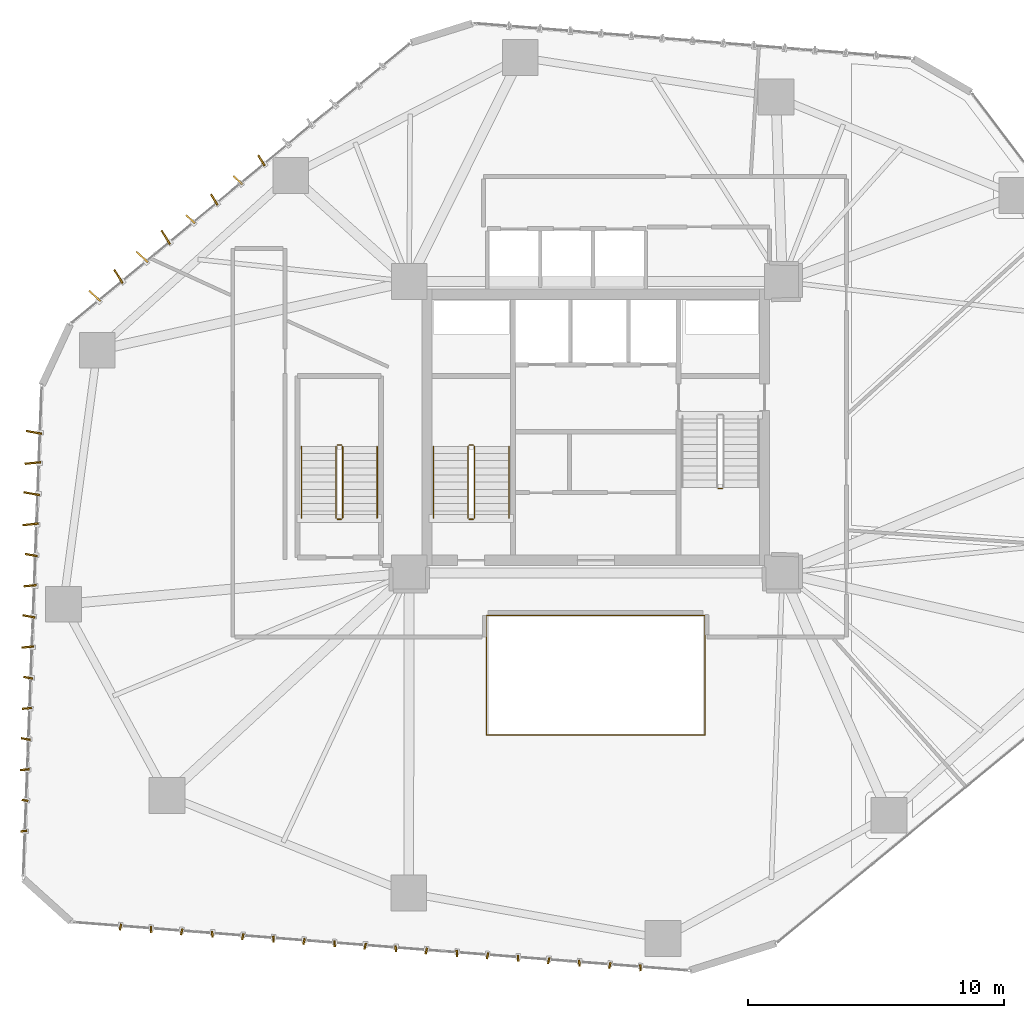
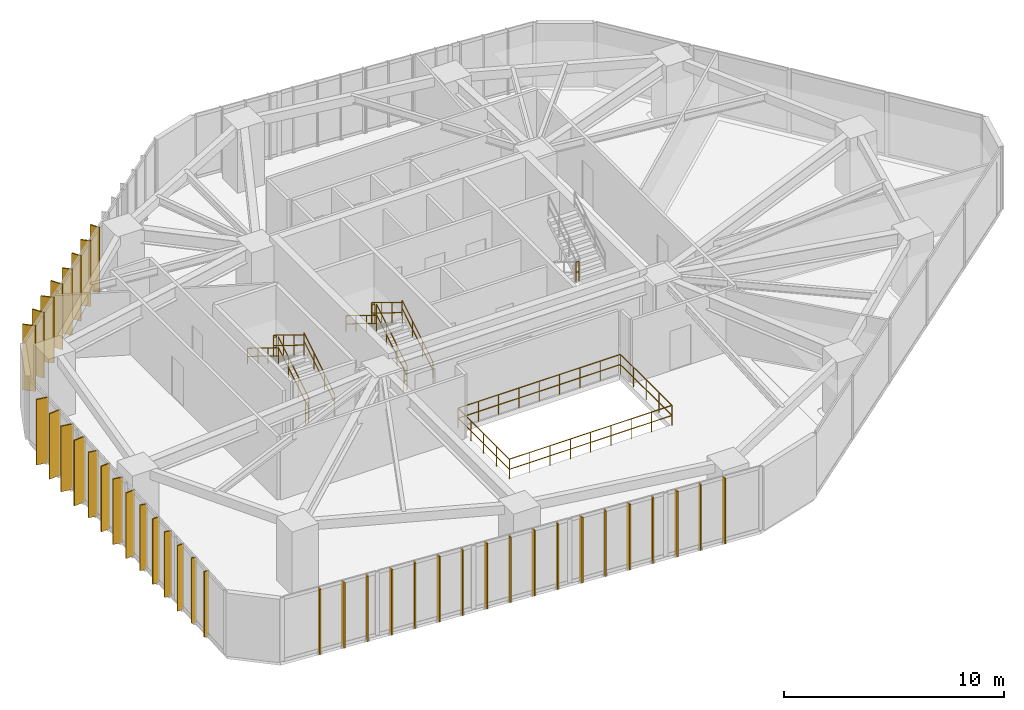
# One storey, part 21 of 23: 40 shading devices, 17 railings.
"""IFC4 building model written with IfcOpenShell, lengths in metres."""

from ifc_helpers import new_model, si_unit, direction, frame, origin, origin_2d, place, context, subcontext, project, spatial, rectangle, circle, extrude, source, transform, mapped, material, layer, layer_set, type_object, type_shapes, element, save


model = new_model("IFC4")

# Units and contexts
model_context = context("Model", 3, precision=1e-05, world=origin(), true_north=direction((0.0, 1.0)))
body_context = subcontext(model_context, "Body", "Model", "MODEL_VIEW")
ifc_project = project(units=[si_unit("LENGTHUNIT", "METRE"), si_unit("AREAUNIT", "SQUARE_METRE"), si_unit("VOLUMEUNIT", "CUBIC_METRE"), si_unit("PLANEANGLEUNIT", "RADIAN"), si_unit("MASSUNIT", "GRAM", prefix="KILO")], contexts=[model_context])

# Site, building, storey
site_placement = place(None, origin())
site = spatial("IfcSite", under=ifc_project, at=site_placement, CompositionType="ELEMENT")
building_placement = place(site_placement, origin())
building = spatial("IfcBuilding", under=site, at=building_placement, Name="Talar Marvaseh", CompositionType="ELEMENT")
storey_placement = place(building_placement, frame((0.0, 0.0, 77.199951171875)))
storey = spatial("IfcBuildingStorey", under=building, at=storey_placement, Name="L19", CompositionType="ELEMENT", Elevation=77.199951171875)

# Railings
ifc_material_1 = material(Name="Stainless Steel Grade 316", Category="steel")
railing_type_1 = type_object("IfcRailingType", Name="Brushed Stainless Wall Pitch Handrail 900", PredefinedType="HANDRAIL", material=ifc_material_1)
railing_1_placement = place(storey_placement, frame((22.610107421875, 27.64990234375, 0.1728515625)))
element("IfcRailing", 1, at=railing_1_placement, inside=storey, type_object=railing_type_1, Name="L19 ST-1 stair handrail 1", PredefinedType="HANDRAIL", context=body_context, shape_type="SweptSolid", body=[
    extrude(circle(Radius=0.02392578125, at=origin_2d()), frame((0.0, 0.0, 0.8759765625), z_axis=(0.0, 0.851089632645, 0.525020415988), x_axis=(-1.0, 0.0, 0.0)), (0.0, 0.0, 1.0), 3.2900390625),
    extrude(circle(Radius=0.02392578125, at=origin_2d()), frame((0.0, 0.0, 0.42578125), z_axis=(0.0, 0.851089632645, 0.525020415988), x_axis=(-1.0, 0.0, 0.0)), (0.0, 0.0, 1.0), 3.2900390625),
    extrude(circle(Radius=0.02099609375, at=origin_2d()), origin(), (0.0, 0.0, 1.0), 0.851806640625),
    extrude(circle(Radius=0.02099609375, at=origin_2d()), frame((0.0, 0.933349609375, 0.57568359375)), (0.0, 0.0, 1.0), 0.851806640625),
    extrude(circle(Radius=0.02099609375, at=origin_2d()), frame((0.0, 1.86669921875, 1.151611328125)), (0.0, 0.0, 1.0), 0.851806640625),
    extrude(circle(Radius=0.02099609375, at=origin_2d()), frame((0.0, 2.800048828125, 1.727294921875)), (0.0, 0.0, 1.0), 0.851806640625),
])
railing_2_placement = place(storey_placement, frame((19.64990234375, 30.449951171875, 2.07275390625)))
element("IfcRailing", 2, at=railing_2_placement, inside=storey, type_object=railing_type_1, Name="L19 ST-1 stair handrail 2", PredefinedType="HANDRAIL", context=body_context, shape_type="SweptSolid", body=[
    extrude(circle(Radius=0.02392578125, at=origin_2d()), frame((0.0, 0.0, 0.8759765625), z_axis=(0.0, -0.851089632645, 0.525020415988), x_axis=(1.0, 0.0, 0.0)), (0.0, 0.0, 1.0), 3.2900390625),
    extrude(circle(Radius=0.02392578125, at=origin_2d()), frame((0.0, 0.0, 0.42578125), z_axis=(0.0, -0.851089632645, 0.525020415988), x_axis=(1.0, 0.0, 0.0)), (0.0, 0.0, 1.0), 3.2900390625),
    extrude(circle(Radius=0.02099609375, at=origin_2d()), origin(), (0.0, 0.0, 1.0), 0.851806640625),
    extrude(circle(Radius=0.02099609375, at=origin_2d()), frame((0.0, -0.933349609375, 0.57568359375)), (0.0, 0.0, 1.0), 0.851806640625),
    extrude(circle(Radius=0.02099609375, at=origin_2d()), frame((0.0, -1.86669921875, 1.151611328125)), (0.0, 0.0, 1.0), 0.851806640625),
    extrude(circle(Radius=0.02099609375, at=origin_2d()), frame((0.0, -2.800048828125, 1.727294921875)), (0.0, 0.0, 1.0), 0.851806640625),
])
railing_3_placement = place(storey_placement, frame((17.449951171875, 27.64990234375, 0.1728515625)))
element("IfcRailing", 3, at=railing_3_placement, inside=storey, type_object=railing_type_1, Name="L19 ST-3 stair handrail 1", PredefinedType="HANDRAIL", context=body_context, shape_type="SweptSolid", body=[
    extrude(circle(Radius=0.02392578125, at=origin_2d()), frame((0.0, 0.0, 0.8759765625), z_axis=(0.0, 0.851089632645, 0.525020415988), x_axis=(-1.0, 0.0, 0.0)), (0.0, 0.0, 1.0), 3.2900390625),
    extrude(circle(Radius=0.02392578125, at=origin_2d()), frame((0.0, 0.0, 0.42578125), z_axis=(0.0, 0.851089632645, 0.525020415988), x_axis=(-1.0, 0.0, 0.0)), (0.0, 0.0, 1.0), 3.2900390625),
    extrude(circle(Radius=0.02099609375, at=origin_2d()), origin(), (0.0, 0.0, 1.0), 0.851806640625),
    extrude(circle(Radius=0.02099609375, at=origin_2d()), frame((0.0, 0.933349609375, 0.57568359375)), (0.0, 0.0, 1.0), 0.851806640625),
    extrude(circle(Radius=0.02099609375, at=origin_2d()), frame((0.0, 1.86669921875, 1.151611328125)), (0.0, 0.0, 1.0), 0.851806640625),
    extrude(circle(Radius=0.02099609375, at=origin_2d()), frame((0.0, 2.800048828125, 1.727294921875)), (0.0, 0.0, 1.0), 0.851806640625),
])
railing_4_placement = place(storey_placement, frame((14.489990234375, 30.449951171875, 2.07275390625)))
element("IfcRailing", 4, at=railing_4_placement, inside=storey, type_object=railing_type_1, Name="L19 ST-3 stair handrail 2", PredefinedType="HANDRAIL", context=body_context, shape_type="SweptSolid", body=[
    extrude(circle(Radius=0.02392578125, at=origin_2d()), frame((0.0, 0.0, 0.8759765625), z_axis=(0.0, -0.851089632645, 0.525020415988), x_axis=(1.0, 0.0, 0.0)), (0.0, 0.0, 1.0), 3.2900390625),
    extrude(circle(Radius=0.02392578125, at=origin_2d()), frame((0.0, 0.0, 0.42578125), z_axis=(0.0, -0.851089632645, 0.525020415988), x_axis=(1.0, 0.0, 0.0)), (0.0, 0.0, 1.0), 3.2900390625),
    extrude(circle(Radius=0.02099609375, at=origin_2d()), origin(), (0.0, 0.0, 1.0), 0.851806640625),
    extrude(circle(Radius=0.02099609375, at=origin_2d()), frame((0.0, -0.933349609375, 0.57568359375)), (0.0, 0.0, 1.0), 0.851806640625),
    extrude(circle(Radius=0.02099609375, at=origin_2d()), frame((0.0, -1.86669921875, 1.151611328125)), (0.0, 0.0, 1.0), 0.851806640625),
    extrude(circle(Radius=0.02099609375, at=origin_2d()), frame((0.0, -2.800048828125, 1.727294921875)), (0.0, 0.0, 1.0), 0.851806640625),
])
ifc_material_2 = material(Name="Tempered Clear Glass", Category="glass")
railing_type_2 = type_object("IfcRailingType", Name="Interior Atrium Edge Balustrade 1120", PredefinedType="BALUSTRADE", material=ifc_material_2)
railing_5_placement = place(storey_placement, frame((21.729736328125, 19.16162109375, 0.0)))
element("IfcRailing", 5, at=railing_5_placement, inside=storey, type_object=railing_type_2, Name="L19 Internal Daylight Atrium Balustrade 1", PredefinedType="BALUSTRADE", context=body_context, shape_type="SweptSolid", body=[
    extrude(circle(Radius=0.02392578125, at=origin_2d()), frame((0.0, 0.0, 1.09619140625), z_axis=(1.0, 0.0, 0.0), x_axis=(0.0, 1.0, 0.0)), (0.0, 0.0, 1.0), 8.54052734375),
    extrude(circle(Radius=0.02392578125, at=origin_2d()), frame((0.0, 0.0, 0.5361328125), z_axis=(1.0, 0.0, 0.0), x_axis=(0.0, 1.0, 0.0)), (0.0, 0.0, 1.0), 8.54052734375),
    extrude(circle(Radius=0.02099609375, at=origin_2d()), origin(), (0.0, 0.0, 1.0), 1.072021484375),
    extrude(circle(Radius=0.02099609375, at=origin_2d()), frame((1.067626953125, 0.0, 0.0)), (0.0, 0.0, 1.0), 1.072021484375),
    extrude(circle(Radius=0.02099609375, at=origin_2d()), frame((2.13525390625, 0.0, 0.0)), (0.0, 0.0, 1.0), 1.072021484375),
    extrude(circle(Radius=0.02099609375, at=origin_2d()), frame((3.20263671875, 0.0, 0.0)), (0.0, 0.0, 1.0), 1.072021484375),
    extrude(circle(Radius=0.02099609375, at=origin_2d()), frame((4.270263671875, 0.0, 0.0)), (0.0, 0.0, 1.0), 1.072021484375),
    extrude(circle(Radius=0.02099609375, at=origin_2d()), frame((5.337890625, 0.0, 0.0)), (0.0, 0.0, 1.0), 1.072021484375),
    extrude(circle(Radius=0.02099609375, at=origin_2d()), frame((6.4052734375, 0.0, 0.0)), (0.0, 0.0, 1.0), 1.072021484375),
    extrude(circle(Radius=0.02099609375, at=origin_2d()), frame((7.472900390625, 0.0, 0.0)), (0.0, 0.0, 1.0), 1.072021484375),
    extrude(circle(Radius=0.02099609375, at=origin_2d()), frame((8.54052734375, 0.0, 0.0)), (0.0, 0.0, 1.0), 1.072021484375),
])
railing_6_placement = place(storey_placement, frame((30.270263671875, 19.16162109375, 0.0)))
element("IfcRailing", 6, at=railing_6_placement, inside=storey, type_object=railing_type_2, Name="L19 Internal Daylight Atrium Balustrade 2", PredefinedType="BALUSTRADE", context=body_context, shape_type="SweptSolid", body=[
    extrude(circle(Radius=0.02392578125, at=origin_2d()), frame((0.0, 0.0, 1.09619140625), z_axis=(0.0, 1.0, 0.0), x_axis=(-1.0, 0.0, 0.0)), (0.0, 0.0, 1.0), 4.6767578125),
    extrude(circle(Radius=0.02392578125, at=origin_2d()), frame((0.0, 0.0, 0.5361328125), z_axis=(0.0, 1.0, 0.0), x_axis=(-1.0, 0.0, 0.0)), (0.0, 0.0, 1.0), 4.6767578125),
    extrude(circle(Radius=0.02099609375, at=origin_2d()), origin(), (0.0, 0.0, 1.0), 1.072021484375),
    extrude(circle(Radius=0.02099609375, at=origin_2d()), frame((0.0, 1.169189453125, 0.0)), (0.0, 0.0, 1.0), 1.072021484375),
    extrude(circle(Radius=0.02099609375, at=origin_2d()), frame((0.0, 2.33837890625, 0.0)), (0.0, 0.0, 1.0), 1.072021484375),
    extrude(circle(Radius=0.02099609375, at=origin_2d()), frame((0.0, 3.507568359375, 0.0)), (0.0, 0.0, 1.0), 1.072021484375),
    extrude(circle(Radius=0.02099609375, at=origin_2d()), frame((0.0, 4.6767578125, 0.0)), (0.0, 0.0, 1.0), 1.072021484375),
])
railing_7_placement = place(storey_placement, frame((30.270263671875, 23.83837890625, 0.0)))
element("IfcRailing", 7, at=railing_7_placement, inside=storey, type_object=railing_type_2, Name="L19 Internal Daylight Atrium Balustrade 3", PredefinedType="BALUSTRADE", context=body_context, shape_type="SweptSolid", body=[
    extrude(circle(Radius=0.02392578125, at=origin_2d()), frame((0.0, 0.0, 1.09619140625), z_axis=(-1.0, 0.0, 0.0), x_axis=(0.0, -1.0, 0.0)), (0.0, 0.0, 1.0), 8.54052734375),
    extrude(circle(Radius=0.02392578125, at=origin_2d()), frame((0.0, 0.0, 0.5361328125), z_axis=(-1.0, 0.0, 0.0), x_axis=(0.0, -1.0, 0.0)), (0.0, 0.0, 1.0), 8.54052734375),
    extrude(circle(Radius=0.02099609375, at=origin_2d()), origin(), (0.0, 0.0, 1.0), 1.072021484375),
    extrude(circle(Radius=0.02099609375, at=origin_2d()), frame((-1.067626953125, 0.0, 0.0)), (0.0, 0.0, 1.0), 1.072021484375),
    extrude(circle(Radius=0.02099609375, at=origin_2d()), frame((-2.13525390625, 0.0, 0.0)), (0.0, 0.0, 1.0), 1.072021484375),
    extrude(circle(Radius=0.02099609375, at=origin_2d()), frame((-3.20263671875, 0.0, 0.0)), (0.0, 0.0, 1.0), 1.072021484375),
    extrude(circle(Radius=0.02099609375, at=origin_2d()), frame((-4.270263671875, 0.0, 0.0)), (0.0, 0.0, 1.0), 1.072021484375),
    extrude(circle(Radius=0.02099609375, at=origin_2d()), frame((-5.337890625, 0.0, 0.0)), (0.0, 0.0, 1.0), 1.072021484375),
    extrude(circle(Radius=0.02099609375, at=origin_2d()), frame((-6.4052734375, 0.0, 0.0)), (0.0, 0.0, 1.0), 1.072021484375),
    extrude(circle(Radius=0.02099609375, at=origin_2d()), frame((-7.472900390625, 0.0, 0.0)), (0.0, 0.0, 1.0), 1.072021484375),
    extrude(circle(Radius=0.02099609375, at=origin_2d()), frame((-8.54052734375, 0.0, 0.0)), (0.0, 0.0, 1.0), 1.072021484375),
])
railing_8_placement = place(storey_placement, frame((21.729736328125, 23.83837890625, 0.0)))
element("IfcRailing", 8, at=railing_8_placement, inside=storey, type_object=railing_type_2, Name="L19 Internal Daylight Atrium Balustrade 4", PredefinedType="BALUSTRADE", context=body_context, shape_type="SweptSolid", body=[
    extrude(circle(Radius=0.02392578125, at=origin_2d()), frame((0.0, 0.0, 1.09619140625), z_axis=(0.0, -1.0, 0.0), x_axis=(1.0, 0.0, 0.0)), (0.0, 0.0, 1.0), 4.6767578125),
    extrude(circle(Radius=0.02392578125, at=origin_2d()), frame((0.0, 0.0, 0.5361328125), z_axis=(0.0, -1.0, 0.0), x_axis=(1.0, 0.0, 0.0)), (0.0, 0.0, 1.0), 4.6767578125),
    extrude(circle(Radius=0.02099609375, at=origin_2d()), origin(), (0.0, 0.0, 1.0), 1.072021484375),
    extrude(circle(Radius=0.02099609375, at=origin_2d()), frame((0.0, -1.169189453125, 0.0)), (0.0, 0.0, 1.0), 1.072021484375),
    extrude(circle(Radius=0.02099609375, at=origin_2d()), frame((0.0, -2.33837890625, 0.0)), (0.0, 0.0, 1.0), 1.072021484375),
    extrude(circle(Radius=0.02099609375, at=origin_2d()), frame((0.0, -3.507568359375, 0.0)), (0.0, 0.0, 1.0), 1.072021484375),
    extrude(circle(Radius=0.02099609375, at=origin_2d()), frame((0.0, -4.6767578125, 0.0)), (0.0, 0.0, 1.0), 1.072021484375),
])
railing_type_3 = type_object("IfcRailingType", Name="Painted Steel Core Stair Well Guardrail 1150", PredefinedType="GUARDRAIL", material=ifc_material_1)
railing_9_placement = place(storey_placement, frame((21.260009765625, 27.64990234375, 0.1728515625)))
element("IfcRailing", 9, at=railing_9_placement, inside=storey, type_object=railing_type_3, Name="L19 ST-1 stair guard 1", PredefinedType="GUARDRAIL", context=body_context, shape_type="SweptSolid", body=[
    extrude(circle(Radius=0.02392578125, at=origin_2d()), frame((0.0, 0.0, 1.1259765625), z_axis=(0.0, 0.851089632645, 0.525020415988), x_axis=(-1.0, 0.0, 0.0)), (0.0, 0.0, 1.0), 3.2900390625),
    extrude(circle(Radius=0.02392578125, at=origin_2d()), frame((0.0, 0.0, 0.55078125), z_axis=(0.0, 0.851089632645, 0.525020415988), x_axis=(-1.0, 0.0, 0.0)), (0.0, 0.0, 1.0), 3.2900390625),
    extrude(circle(Radius=0.02099609375, at=origin_2d()), origin(), (0.0, 0.0, 1.0), 1.101806640625),
    extrude(circle(Radius=0.02099609375, at=origin_2d()), frame((0.0, 0.933349609375, 0.57568359375)), (0.0, 0.0, 1.0), 1.101806640625),
    extrude(circle(Radius=0.02099609375, at=origin_2d()), frame((0.0, 1.86669921875, 1.151611328125)), (0.0, 0.0, 1.0), 1.101806640625),
    extrude(circle(Radius=0.02099609375, at=origin_2d()), frame((0.0, 2.800048828125, 1.727294921875)), (0.0, 0.0, 1.0), 1.101806640625),
])
railing_10_placement = place(storey_placement, frame((21.2099609375, 30.5, 1.900146484375)))
element("IfcRailing", 10, at=railing_10_placement, inside=storey, type_object=railing_type_3, Name="L19 ST-1 stair guard 2", PredefinedType="GUARDRAIL", context=body_context, shape_type="SweptSolid", body=[
    extrude(circle(Radius=0.02392578125, at=origin_2d()), frame((0.0, 0.0, 1.1259765625), z_axis=(-1.0, 0.0, 0.0), x_axis=(0.0, -1.0, 0.0)), (0.0, 0.0, 1.0), 0.159912109375),
    extrude(circle(Radius=0.02392578125, at=origin_2d()), frame((0.0, 0.0, 0.55078125), z_axis=(-1.0, 0.0, 0.0), x_axis=(0.0, -1.0, 0.0)), (0.0, 0.0, 1.0), 0.159912109375),
    extrude(circle(Radius=0.02099609375, at=origin_2d()), origin(), (0.0, 0.0, 1.0), 1.101806640625),
    extrude(circle(Radius=0.02099609375, at=origin_2d()), frame((-0.159912109375, 0.0, 0.0)), (0.0, 0.0, 1.0), 1.101806640625),
])
railing_11_placement = place(storey_placement, frame((21.0, 30.449951171875, 2.07275390625)))
element("IfcRailing", 11, at=railing_11_placement, inside=storey, type_object=railing_type_3, Name="L19 ST-1 stair guard 3", PredefinedType="GUARDRAIL", context=body_context, shape_type="SweptSolid", body=[
    extrude(circle(Radius=0.02392578125, at=origin_2d()), frame((0.0, 0.0, 1.1259765625), z_axis=(0.0, -0.851089632645, 0.525020415988), x_axis=(1.0, 0.0, 0.0)), (0.0, 0.0, 1.0), 3.2900390625),
    extrude(circle(Radius=0.02392578125, at=origin_2d()), frame((0.0, 0.0, 0.55078125), z_axis=(0.0, -0.851089632645, 0.525020415988), x_axis=(1.0, 0.0, 0.0)), (0.0, 0.0, 1.0), 3.2900390625),
    extrude(circle(Radius=0.02099609375, at=origin_2d()), origin(), (0.0, 0.0, 1.0), 1.101806640625),
    extrude(circle(Radius=0.02099609375, at=origin_2d()), frame((0.0, -0.933349609375, 0.57568359375)), (0.0, 0.0, 1.0), 1.101806640625),
    extrude(circle(Radius=0.02099609375, at=origin_2d()), frame((0.0, -1.86669921875, 1.151611328125)), (0.0, 0.0, 1.0), 1.101806640625),
    extrude(circle(Radius=0.02099609375, at=origin_2d()), frame((0.0, -2.800048828125, 1.727294921875)), (0.0, 0.0, 1.0), 1.101806640625),
])
railing_12_placement = place(storey_placement, frame((21.2099609375, 27.60009765625, 0.0)))
element("IfcRailing", 12, at=railing_12_placement, inside=storey, type_object=railing_type_3, Name="L19 ST-1 stair guard 4", PredefinedType="GUARDRAIL", context=body_context, shape_type="SweptSolid", body=[
    extrude(circle(Radius=0.02392578125, at=origin_2d()), frame((0.0, 0.0, 1.1259765625), z_axis=(-1.0, 0.0, 0.0), x_axis=(0.0, -1.0, 0.0)), (0.0, 0.0, 1.0), 0.159912109375),
    extrude(circle(Radius=0.02392578125, at=origin_2d()), frame((0.0, 0.0, 0.55078125), z_axis=(-1.0, 0.0, 0.0), x_axis=(0.0, -1.0, 0.0)), (0.0, 0.0, 1.0), 0.159912109375),
    extrude(circle(Radius=0.02099609375, at=origin_2d()), origin(), (0.0, 0.0, 1.0), 1.101806640625),
    extrude(circle(Radius=0.02099609375, at=origin_2d()), frame((-0.159912109375, 0.0, 0.0)), (0.0, 0.0, 1.0), 1.101806640625),
])
railing_13_placement = place(storey_placement, frame((30.7900390625, 28.800048828125, 1.900146484375)))
element("IfcRailing", 13, at=railing_13_placement, inside=storey, type_object=railing_type_3, Name="L19 ST-2 stair guard 2", PredefinedType="GUARDRAIL", context=body_context, shape_type="SweptSolid", body=[
    extrude(circle(Radius=0.02392578125, at=origin_2d()), frame((0.0, 0.0, 1.1259765625), z_axis=(1.0, 0.0, 0.0), x_axis=(0.0, 1.0, 0.0)), (0.0, 0.0, 1.0), 0.159912109375),
    extrude(circle(Radius=0.02392578125, at=origin_2d()), frame((0.0, 0.0, 0.55078125), z_axis=(1.0, 0.0, 0.0), x_axis=(0.0, 1.0, 0.0)), (0.0, 0.0, 1.0), 0.159912109375),
    extrude(circle(Radius=0.02099609375, at=origin_2d()), origin(), (0.0, 0.0, 1.0), 1.101806640625),
    extrude(circle(Radius=0.02099609375, at=origin_2d()), frame((0.159912109375, 0.0, 0.0)), (0.0, 0.0, 1.0), 1.101806640625),
])
railing_14_placement = place(storey_placement, frame((16.10009765625, 27.64990234375, 0.1728515625)))
element("IfcRailing", 14, at=railing_14_placement, inside=storey, type_object=railing_type_3, Name="L19 ST-3 stair guard 1", PredefinedType="GUARDRAIL", context=body_context, shape_type="SweptSolid", body=[
    extrude(circle(Radius=0.02392578125, at=origin_2d()), frame((0.0, 0.0, 1.1259765625), z_axis=(0.0, 0.851089632645, 0.525020415988), x_axis=(-1.0, 0.0, 0.0)), (0.0, 0.0, 1.0), 3.2900390625),
    extrude(circle(Radius=0.02392578125, at=origin_2d()), frame((0.0, 0.0, 0.55078125), z_axis=(0.0, 0.851089632645, 0.525020415988), x_axis=(-1.0, 0.0, 0.0)), (0.0, 0.0, 1.0), 3.2900390625),
    extrude(circle(Radius=0.02099609375, at=origin_2d()), origin(), (0.0, 0.0, 1.0), 1.101806640625),
    extrude(circle(Radius=0.02099609375, at=origin_2d()), frame((0.0, 0.933349609375, 0.57568359375)), (0.0, 0.0, 1.0), 1.101806640625),
    extrude(circle(Radius=0.02099609375, at=origin_2d()), frame((0.0, 1.86669921875, 1.151611328125)), (0.0, 0.0, 1.0), 1.101806640625),
    extrude(circle(Radius=0.02099609375, at=origin_2d()), frame((0.0, 2.800048828125, 1.727294921875)), (0.0, 0.0, 1.0), 1.101806640625),
])
railing_15_placement = place(storey_placement, frame((16.050048828125, 30.5, 1.900146484375)))
element("IfcRailing", 15, at=railing_15_placement, inside=storey, type_object=railing_type_3, Name="L19 ST-3 stair guard 2", PredefinedType="GUARDRAIL", context=body_context, shape_type="SweptSolid", body=[
    extrude(circle(Radius=0.02392578125, at=origin_2d()), frame((0.0, 0.0, 1.1259765625), z_axis=(-1.0, 0.0, 0.0), x_axis=(0.0, -1.0, 0.0)), (0.0, 0.0, 1.0), 0.16015625),
    extrude(circle(Radius=0.02392578125, at=origin_2d()), frame((0.0, 0.0, 0.55078125), z_axis=(-1.0, 0.0, 0.0), x_axis=(0.0, -1.0, 0.0)), (0.0, 0.0, 1.0), 0.16015625),
    extrude(circle(Radius=0.02099609375, at=origin_2d()), origin(), (0.0, 0.0, 1.0), 1.101806640625),
    extrude(circle(Radius=0.02099609375, at=origin_2d()), frame((-0.16015625, 0.0, 0.0)), (0.0, 0.0, 1.0), 1.101806640625),
])
railing_16_placement = place(storey_placement, frame((15.840087890625, 30.449951171875, 2.07275390625)))
element("IfcRailing", 16, at=railing_16_placement, inside=storey, type_object=railing_type_3, Name="L19 ST-3 stair guard 3", PredefinedType="GUARDRAIL", context=body_context, shape_type="SweptSolid", body=[
    extrude(circle(Radius=0.02392578125, at=origin_2d()), frame((0.0, 0.0, 1.1259765625), z_axis=(0.0, -0.851089632645, 0.525020415988), x_axis=(1.0, 0.0, 0.0)), (0.0, 0.0, 1.0), 3.2900390625),
    extrude(circle(Radius=0.02392578125, at=origin_2d()), frame((0.0, 0.0, 0.55078125), z_axis=(0.0, -0.851089632645, 0.525020415988), x_axis=(1.0, 0.0, 0.0)), (0.0, 0.0, 1.0), 3.2900390625),
    extrude(circle(Radius=0.02099609375, at=origin_2d()), origin(), (0.0, 0.0, 1.0), 1.101806640625),
    extrude(circle(Radius=0.02099609375, at=origin_2d()), frame((0.0, -0.933349609375, 0.57568359375)), (0.0, 0.0, 1.0), 1.101806640625),
    extrude(circle(Radius=0.02099609375, at=origin_2d()), frame((0.0, -1.86669921875, 1.151611328125)), (0.0, 0.0, 1.0), 1.101806640625),
    extrude(circle(Radius=0.02099609375, at=origin_2d()), frame((0.0, -2.800048828125, 1.727294921875)), (0.0, 0.0, 1.0), 1.101806640625),
])
railing_17_placement = place(storey_placement, frame((16.050048828125, 27.60009765625, 0.0)))
element("IfcRailing", 17, at=railing_17_placement, inside=storey, type_object=railing_type_3, Name="L19 ST-3 stair guard 4", PredefinedType="GUARDRAIL", context=body_context, shape_type="SweptSolid", body=[
    extrude(circle(Radius=0.02392578125, at=origin_2d()), frame((0.0, 0.0, 1.1259765625), z_axis=(-1.0, 0.0, 0.0), x_axis=(0.0, -1.0, 0.0)), (0.0, 0.0, 1.0), 0.16015625),
    extrude(circle(Radius=0.02392578125, at=origin_2d()), frame((0.0, 0.0, 0.55078125), z_axis=(-1.0, 0.0, 0.0), x_axis=(0.0, -1.0, 0.0)), (0.0, 0.0, 1.0), 0.16015625),
    extrude(circle(Radius=0.02099609375, at=origin_2d()), origin(), (0.0, 0.0, 1.0), 1.101806640625),
    extrude(circle(Radius=0.02099609375, at=origin_2d()), frame((-0.16015625, 0.0, 0.0)), (0.0, 0.0, 1.0), 1.101806640625),
])

# Shading devices
ifc_material_3 = material(Name="Anodised Champagne Bronze Aluminium", Category="aluminium")
ifc_layer_1 = layer(ifc_material_3, 0.06494140625)
ifc_layer_set_1 = layer_set([ifc_layer_1], Name="Anodised Champagne Bronze Aluminium")
shading_device_type_1 = type_object("IfcShadingDeviceType", Name="Sawtooth Champagne Bronze Vertical Fin 240", PredefinedType="USERDEFINED", material=ifc_layer_set_1)
shared_shape_1 = source(origin(), body_context, "Body", "SweptSolid", [
    extrude(rectangle(XDim=0.239990234375, YDim=0.06494140625, at=origin_2d()), origin(), (0.0, 0.0, 1.0), 3.639892578125),
])
type_shapes(shading_device_type_1, [shared_shape_1])
for number, where, z_axis, x_axis, name in (
    (18, (3.6298828125, 15.403076171875, -0.1201171875), (0.0, 0.0, 1.0), (-0.994792141762, -0.101924455795, 0.0), "L19 Sawtooth Vertical Solar Fin"),
    (19, (3.675048828125, 16.602294921875, -0.1201171875), (0.0, 0.0, 1.0), (-0.984349768784, 0.176225800308, 0.0), "L19 Sawtooth Vertical Solar Fin"),
    (20, (27.74658203125, 10.050537109375, -0.1201171875), (0.0, 0.0, 1.0), (0.06122274599, -0.998124128239, 0.0), "L19 Sawtooth Vertical Solar Fin"),
    (21, (26.55029296875, 10.14453125, -0.1201171875), (0.0, 0.0, 1.0), (-0.216269214844, -0.976333768089, 0.0), "L19 Sawtooth Vertical Solar Fin"),
    (22, (25.35400390625, 10.238525390625, -0.1201171875), (0.0, 0.0, 1.0), (0.06122274599, -0.998124128239, 0.0), "L19 Sawtooth Vertical Solar Fin"),
    (23, (24.15771484375, 10.33251953125, -0.1201171875), (0.0, 0.0, 1.0), (-0.216269214844, -0.976333768089, 0.0), "L19 Sawtooth Vertical Solar Fin"),
    (24, (22.961181640625, 10.426513671875, -0.1201171875), (0.0, 0.0, 1.0), (0.06122274599, -0.998124128239, 0.0), "L19 Sawtooth Vertical Solar Fin"),
    (25, (21.764892578125, 10.5205078125, -0.1201171875), (0.0, 0.0, 1.0), (-0.216269214844, -0.976333768089, 0.0), "L19 Sawtooth Vertical Solar Fin"),
    (26, (20.568603515625, 10.614501953125, -0.1201171875), (0.0, 0.0, 1.0), (0.06122274599, -0.998124128239, 0.0), "L19 Sawtooth Vertical Solar Fin"),
    (27, (19.372314453125, 10.70849609375, -0.1201171875), (0.0, 0.0, 1.0), (-0.216269214844, -0.976333768089, 0.0), "L19 Sawtooth Vertical Solar Fin"),
    (28, (18.176025390625, 10.802490234375, -0.1201171875), (0.0, 0.0, 1.0), (0.06122274599, -0.998124128239, 0.0), "L19 Sawtooth Vertical Solar Fin"),
    (29, (16.979736328125, 10.896484375, -0.1201171875), (0.0, 0.0, 1.0), (-0.216269214844, -0.976333768089, 0.0), "L19 Sawtooth Vertical Solar Fin"),
    (30, (15.783447265625, 10.990234375, -0.1201171875), (0.0, 0.0, 1.0), (0.06122274599, -0.998124128239, 0.0), "L19 Sawtooth Vertical Solar Fin"),
    (31, (14.5869140625, 11.084228515625, -0.1201171875), (0.0, 0.0, 1.0), (-0.216269214844, -0.976333768089, 0.0), "L19 Sawtooth Vertical Solar Fin"),
    (32, (13.390625, 11.17822265625, -0.1201171875), (0.0, 0.0, 1.0), (0.06122274599, -0.998124128239, 0.0), "L19 Sawtooth Vertical Solar Fin"),
    (33, (12.1943359375, 11.272216796875, -0.1201171875), (0.0, 0.0, 1.0), (-0.216269214844, -0.976333768089, 0.0), "L19 Sawtooth Vertical Solar Fin"),
    (34, (10.998046875, 11.3662109375, -0.1201171875), (0.0, 0.0, 1.0), (0.06122274599, -0.998124128239, 0.0), "L19 Sawtooth Vertical Solar Fin"),
    (35, (9.8017578125, 11.460205078125, -0.1201171875), (0.0, 0.0, 1.0), (-0.216269214844, -0.976333768089, 0.0), "L19 Sawtooth Vertical Solar Fin"),
    (36, (8.60546875, 11.55419921875, -0.1201171875), (0.0, 0.0, 1.0), (0.06122274599, -0.998124128239, 0.0), "L19 Sawtooth Vertical Solar Fin"),
    (37, (7.4091796875, 11.648193359375, -0.1201171875), (0.0, 0.0, 1.0), (-0.216269214844, -0.976333768089, 0.0), "L19 Sawtooth Vertical Solar Fin"),
):
    element("IfcShadingDevice", number, at=place(storey_placement, frame(where, z_axis=z_axis, x_axis=x_axis)), inside=storey, type_object=shading_device_type_1, Name=name, ObjectType="FIN", PredefinedType="USERDEFINED", context=body_context, shape_type="MappedRepresentation", body=[
        mapped(shared_shape_1, transform((0.0, 0.0, 0.0), x_axis=(1.0, 0.0, 0.0), y_axis=(0.0, 1.0, 0.0), z_axis=(0.0, 0.0, 1.0), scale=1.0)),
    ])
ifc_layer_2 = layer(ifc_material_3, 0.06494140625)
ifc_layer_set_2 = layer_set([ifc_layer_2], Name="Anodised Champagne Bronze Aluminium")
shading_device_type_2 = type_object("IfcShadingDeviceType", Name="Sawtooth Champagne Bronze Vertical Fin 360", PredefinedType="USERDEFINED", material=ifc_layer_set_2)
shared_shape_2 = source(origin(), body_context, "Body", "SweptSolid", [
    extrude(rectangle(XDim=0.360107421875, YDim=0.06494140625, at=origin_2d()), origin(), (0.0, 0.0, 1.0), 3.639892578125),
])
type_shapes(shading_device_type_2, [shared_shape_2])
for number, where, z_axis, x_axis, name in (
    (38, (3.66015625, 17.8037109375, -0.1201171875), (0.0, 0.0, 1.0), (-0.994792141762, -0.101924455795, 0.0), "L19 Sawtooth Vertical Solar Fin"),
    (39, (3.705322265625, 19.002685546875, -0.1201171875), (0.0, 0.0, 1.0), (-0.984349768784, 0.176225800308, 0.0), "L19 Sawtooth Vertical Solar Fin"),
    (40, (3.75048828125, 20.201904296875, -0.1201171875), (0.0, 0.0, 1.0), (-0.994792141762, -0.101924455795, 0.0), "L19 Sawtooth Vertical Solar Fin"),
    (41, (3.79541015625, 21.401123046875, -0.1201171875), (0.0, 0.0, 1.0), (-0.984349768784, 0.176225800308, 0.0), "L19 Sawtooth Vertical Solar Fin"),
):
    element("IfcShadingDevice", number, at=place(storey_placement, frame(where, z_axis=z_axis, x_axis=x_axis)), inside=storey, type_object=shading_device_type_2, Name=name, ObjectType="FIN", PredefinedType="USERDEFINED", context=body_context, shape_type="MappedRepresentation", body=[
        mapped(shared_shape_2, transform((0.0, 0.0, 0.0), x_axis=(1.0, 0.0, 0.0), y_axis=(0.0, 1.0, 0.0), z_axis=(0.0, 0.0, 1.0), scale=1.0)),
    ])
ifc_layer_3 = layer(ifc_material_3, 0.06494140625)
ifc_layer_set_3 = layer_set([ifc_layer_3], Name="Anodised Champagne Bronze Aluminium")
shading_device_type_3 = type_object("IfcShadingDeviceType", Name="Sawtooth Champagne Bronze Vertical Fin 480", PredefinedType="USERDEFINED", material=ifc_layer_set_3)
shared_shape_3 = source(origin(), body_context, "Body", "SweptSolid", [
    extrude(rectangle(XDim=0.47998046875, YDim=0.06494140625, at=origin_2d()), origin(), (0.0, 0.0, 1.0), 3.639892578125),
])
type_shapes(shading_device_type_3, [shared_shape_3])
for number, where, z_axis, x_axis, name in (
    (42, (3.78076171875, 22.6025390625, -0.1201171875), (0.0, 0.0, 1.0), (-0.994792141762, -0.101924455795, 0.0), "L19 Sawtooth Vertical Solar Fin"),
    (43, (3.82568359375, 23.801513671875, -0.1201171875), (0.0, 0.0, 1.0), (-0.984349768784, 0.176225800308, 0.0), "L19 Sawtooth Vertical Solar Fin"),
    (44, (3.870849609375, 25.000732421875, -0.1201171875), (0.0, 0.0, 1.0), (-0.994792141762, -0.101924455795, 0.0), "L19 Sawtooth Vertical Solar Fin"),
    (45, (3.916015625, 26.199951171875, -0.1201171875), (0.0, 0.0, 1.0), (-0.984349768784, 0.176225800308, 0.0), "L19 Sawtooth Vertical Solar Fin"),
    (46, (10.14794921875, 39.337890625, -0.1201171875), (0.0, 0.0, 1.0), (-0.738102175512, 0.674688949446, 0.0), "L19 Sawtooth Vertical Solar Fin"),
    (47, (11.072998046875, 40.102294921875, -0.1201171875), (0.0, 0.0, 1.0), (-0.523539870984, 0.852001175756, 0.0), "L19 Sawtooth Vertical Solar Fin"),
    (48, (11.998046875, 40.86669921875, -0.1201171875), (0.0, 0.0, 1.0), (-0.738102175512, 0.674688949446, 0.0), "L19 Sawtooth Vertical Solar Fin"),
    (49, (12.923095703125, 41.631103515625, -0.1201171875), (0.0, 0.0, 1.0), (-0.523539870984, 0.852001175756, 0.0), "L19 Sawtooth Vertical Solar Fin"),
):
    element("IfcShadingDevice", number, at=place(storey_placement, frame(where, z_axis=z_axis, x_axis=x_axis)), inside=storey, type_object=shading_device_type_3, Name=name, ObjectType="FIN", PredefinedType="USERDEFINED", context=body_context, shape_type="MappedRepresentation", body=[
        mapped(shared_shape_3, transform((0.0, 0.0, 0.0), x_axis=(1.0, 0.0, 0.0), y_axis=(0.0, 1.0, 0.0), z_axis=(0.0, 0.0, 1.0), scale=1.0)),
    ])
ifc_layer_4 = layer(ifc_material_3, 0.06494140625)
ifc_layer_set_4 = layer_set([ifc_layer_4], Name="Anodised Champagne Bronze Aluminium")
shading_device_type_4 = type_object("IfcShadingDeviceType", Name="Sawtooth Champagne Bronze Vertical Fin 620", PredefinedType="USERDEFINED", material=ifc_layer_set_4)
shared_shape_4 = source(origin(), body_context, "Body", "SweptSolid", [
    extrude(rectangle(XDim=0.6201171875, YDim=0.06494140625, at=origin_2d()), origin(), (0.0, 0.0, 1.0), 3.639892578125),
])
type_shapes(shading_device_type_4, [shared_shape_4])
for number, where, z_axis, x_axis, name in (
    (50, (3.89111328125, 27.401611328125, -0.1201171875), (0.0, 0.0, 1.0), (-0.994792141762, -0.101924455795, 0.0), "L19 Sawtooth Vertical Solar Fin"),
    (51, (3.936279296875, 28.600830078125, -0.1201171875), (0.0, 0.0, 1.0), (-0.984349768784, 0.176225800308, 0.0), "L19 Sawtooth Vertical Solar Fin"),
    (52, (3.981201171875, 29.800048828125, -0.1201171875), (0.0, 0.0, 1.0), (-0.994792141762, -0.101924455795, 0.0), "L19 Sawtooth Vertical Solar Fin"),
    (53, (4.0263671875, 30.999267578125, -0.1201171875), (0.0, 0.0, 1.0), (-0.984349768784, 0.176225800308, 0.0), "L19 Sawtooth Vertical Solar Fin"),
    (54, (6.403076171875, 36.334228515625, -0.1201171875), (0.0, 0.0, 1.0), (-0.738102175512, 0.674688949446, 0.0), "L19 Sawtooth Vertical Solar Fin"),
    (55, (7.328125, 37.0986328125, -0.1201171875), (0.0, 0.0, 1.0), (-0.523539870984, 0.852001175756, 0.0), "L19 Sawtooth Vertical Solar Fin"),
    (56, (8.253173828125, 37.863037109375, -0.1201171875), (0.0, 0.0, 1.0), (-0.738102175512, 0.674688949446, 0.0), "L19 Sawtooth Vertical Solar Fin"),
    (57, (9.17822265625, 38.62744140625, -0.1201171875), (0.0, 0.0, 1.0), (-0.523539870984, 0.852001175756, 0.0), "L19 Sawtooth Vertical Solar Fin"),
):
    element("IfcShadingDevice", number, at=place(storey_placement, frame(where, z_axis=z_axis, x_axis=x_axis)), inside=storey, type_object=shading_device_type_4, Name=name, ObjectType="FIN", PredefinedType="USERDEFINED", context=body_context, shape_type="MappedRepresentation", body=[
        mapped(shared_shape_4, transform((0.0, 0.0, 0.0), x_axis=(1.0, 0.0, 0.0), y_axis=(0.0, 1.0, 0.0), z_axis=(0.0, 0.0, 1.0), scale=1.0)),
    ])

save(model, "model.ifc")
